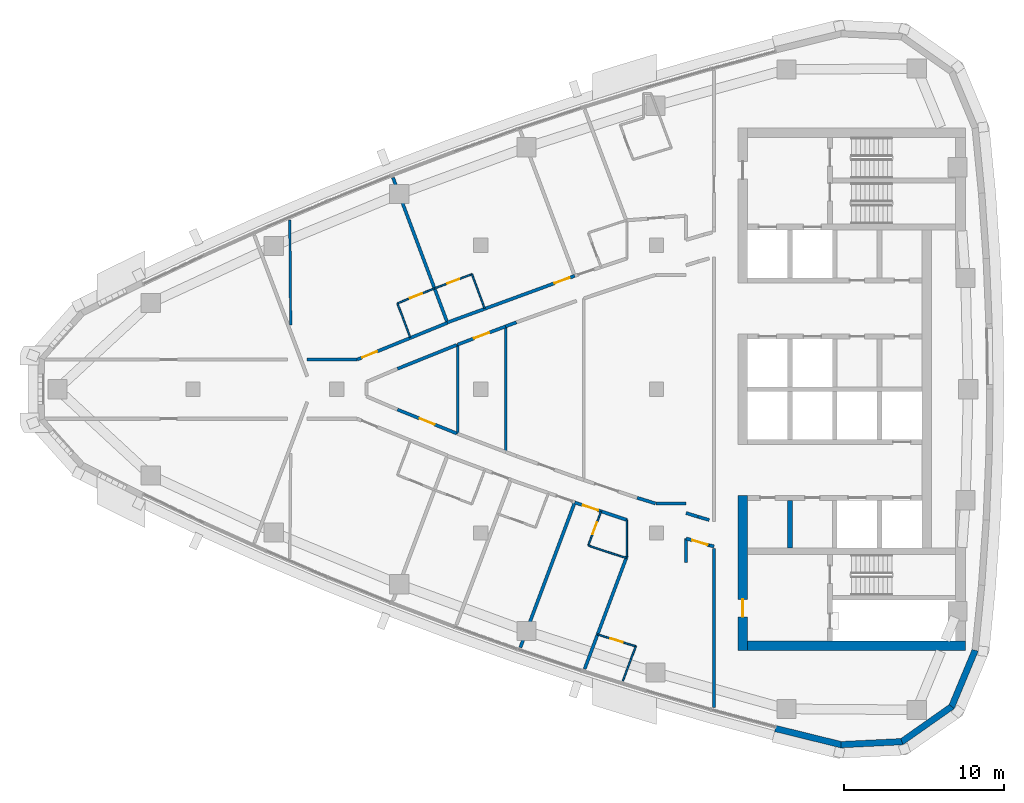
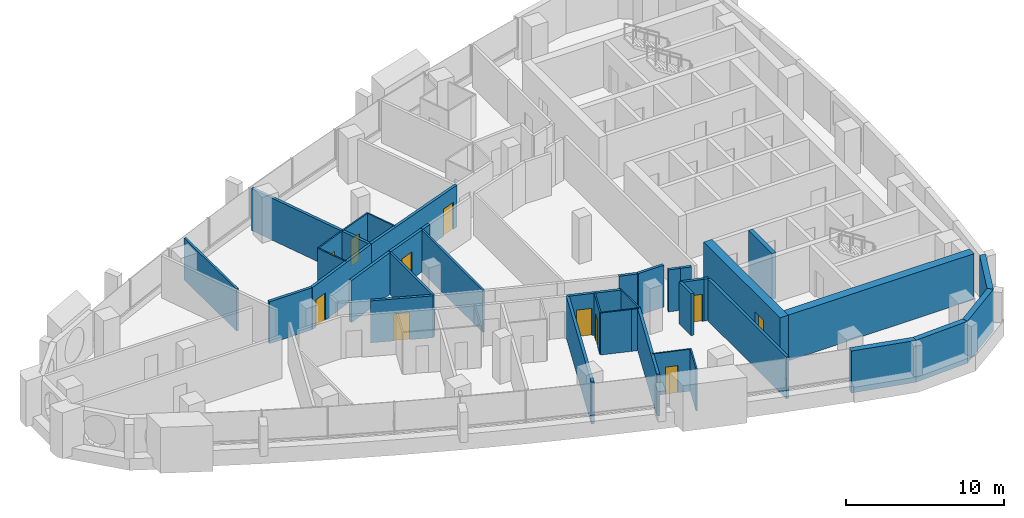
# One storey, part 9 of 16: 39 walls, 11 doors, 11 openings.
"""IFC4 building model written with IfcOpenShell, lengths in metres."""

from ifc_helpers import new_model, si_unit, direction, frame, frame_2d, origin, place, context, subcontext, project, spatial, polyline, rectangle, outline, extrude, material, layer, layer_set, type_object, element, fill, save


model = new_model("IFC4")

# Units and contexts
model_context = context("Model", 3, precision=1e-05, world=origin(), true_north=direction((0.0, 1.0)))
body_context = subcontext(model_context, "Body", "Model", "MODEL_VIEW")
ifc_project = project(units=[si_unit("LENGTHUNIT", "METRE"), si_unit("AREAUNIT", "SQUARE_METRE"), si_unit("VOLUMEUNIT", "CUBIC_METRE"), si_unit("PLANEANGLEUNIT", "RADIAN"), si_unit("MASSUNIT", "GRAM", prefix="KILO")], contexts=[model_context])

# Site, building, storey
site_placement = place(None, origin())
site = spatial("IfcSite", under=ifc_project, at=site_placement, CompositionType="ELEMENT")
building_placement = place(site_placement, origin())
building = spatial("IfcBuilding", under=site, at=building_placement, Name="Ostrand Prow Hotel Tower", CompositionType="ELEMENT")
storey_placement = place(building_placement, frame((0.0, 0.0, 224.35009765625)))
storey = spatial("IfcBuildingStorey", under=building, at=storey_placement, Name="L56", CompositionType="ELEMENT", Elevation=224.35009765625)

# Wall
ifc_material_1 = material(Name="Concrete C50/60", Category="concrete")
ifc_layer_1 = layer(ifc_material_1, 0.300048828125)
ifc_layer_set_1 = layer_set([ifc_layer_1], Name="Concrete C50/60")
wall_type_1 = type_object("IfcWallType", Name="Core wall 300 C50/60", PredefinedType="SHEAR", material=ifc_layer_set_1)
wall_1_placement = place(storey_placement, frame((53.35009765625, -9.949951171875, 0.0), z_axis=(0.0, 0.0, 1.0), x_axis=(0.0, 1.0, 0.0)))
element("IfcWall", 1, at=wall_1_placement, inside=storey, type_object=wall_type_1, Name="Core wall PW-R1-SA", PredefinedType="SHEAR", context=body_context, shape_type="SweptSolid", body=[
    extrude(rectangle(XDim=3.0, YDim=0.300048828125, at=frame_2d((1.5, 0.0))), origin(), (0.0, 0.0, 1.0), 3.5498046875),
])

# Wall, opening, door
ifc_material_2 = material(Name="Concrete C50/60", Category="concrete")
ifc_layer_2 = layer(ifc_material_2, 0.60009765625)
ifc_layer_set_2 = layer_set([ifc_layer_2], Name="Concrete C50/60")
wall_type_2 = type_object("IfcWallType", Name="Core wall 600 C50/60", PredefinedType="SHEAR", material=ifc_layer_set_2)
wall_2_placement = place(storey_placement, frame((50.39990234375, -16.35009765625, 0.0), z_axis=(0.0, 0.0, 1.0), x_axis=(0.0, 1.0, 0.0)))
wall_2 = element("IfcWall", 2, at=wall_2_placement, inside=storey, type_object=wall_type_2, Name="Core wall CW-W-S", PredefinedType="SHEAR", context=body_context, shape_type="SweptSolid", body=[
    extrude(rectangle(XDim=9.7001953125, YDim=0.60009765625, at=frame_2d((4.85009765625, 0.0))), origin(), (0.0, 0.0, 1.0), 3.5498046875),
])
opening_1_placement = place(wall_2_placement, frame((2.10009765625, 0.0, 0.0)))
opening_1 = element("IfcOpeningElement", 3, at=opening_1_placement, cuts=wall_2, Name="Opening FD1", PredefinedType="OPENING", context=body_context, shape_type="SweptSolid", body=[
    extrude(rectangle(XDim=1.10009765625, YDim=2.10009765625, at=frame_2d((0.550048828125, 1.050048828125))), frame((0.0, 0.31005859375, 0.0), z_axis=(0.0, -1.0, 0.0), x_axis=(1.0, 0.0, 0.0)), (0.0, 0.0, 1.0), 0.6201171875),
])
ifc_material_3 = material(Name="Steel fire door", Category="steel")
door_type_1 = type_object("IfcDoorType", Name="Fire door 1100 EI120", OperationType="SINGLE_SWING_RIGHT", PredefinedType="DOOR", material=ifc_material_3)
door_1_placement = place(opening_1_placement, origin())
door_1 = element("IfcDoor", 4, at=door_1_placement, inside=storey, type_object=door_type_1, Name="FIRE DOOR", OperationType="SINGLE_SWING_RIGHT", OverallHeight=2.10009765625, OverallWidth=1.10009765625, PredefinedType="DOOR", context=body_context, shape_type="SweptSolid", body=[
    extrude(rectangle(XDim=1.10009765625, YDim=2.10009765625, at=frame_2d((0.550048828125, 1.050048828125))), frame((0.0, 0.02490234375, 0.0), z_axis=(0.0, -1.0, 0.0), x_axis=(1.0, 0.0, 0.0)), (0.0, 0.0, 1.0), 0.050048828125),
])
fill(opening_1, door_1)

# Wall
wall_3_placement = place(storey_placement, frame((50.699951171875, -16.050048828125, 0.0), z_axis=(0.0, 0.0, 1.0), x_axis=(1.0, 0.0, 0.0)))
element("IfcWall", 5, at=wall_3_placement, inside=storey, type_object=wall_type_2, Name="Core wall CW-S", PredefinedType="SHEAR", context=body_context, shape_type="SweptSolid", body=[
    extrude(rectangle(XDim=13.6201171875, YDim=0.60009765625, at=frame_2d((6.81005859375, 0.0))), origin(), (0.0, 0.0, 1.0), 3.5498046875),
])

# Wall, opening, door
ifc_material_4 = material(Name="Plasterboard partition")
ifc_layer_3 = layer(ifc_material_4, 0.10009765625)
ifc_layer_set_3 = layer_set([ifc_layer_3], Name="Plasterboard partition")
wall_type_3 = type_object("IfcWallType", Name="Partition 100 bathroom wall", PredefinedType="PARTITIONING", material=ifc_layer_set_3)
wall_4_placement = place(storey_placement, frame((28.79296875, 5.37158203125, 0.0), z_axis=(0.0, 0.0, 1.0), x_axis=(0.92761232595, 0.373544338394, 0.0)))
wall_4 = element("IfcWall", 6, at=wall_4_placement, inside=storey, type_object=wall_type_3, Name="BATHROOM WALL", PredefinedType="PARTITIONING", context=body_context, shape_type="SweptSolid", body=[
    extrude(rectangle(XDim=2.50048828125, YDim=0.10009765625, at=frame_2d((1.250244140625, 0.0))), origin(), (0.0, 0.0, 1.0), 3.25),
])
opening_2_placement = place(wall_4_placement, frame((0.85009765625, 0.0, 0.0)))
opening_2 = element("IfcOpeningElement", 7, at=opening_2_placement, cuts=wall_4, Name="Opening D2", PredefinedType="OPENING", context=body_context, shape_type="SweptSolid", body=[
    extrude(rectangle(XDim=0.800048828125, YDim=2.10009765625, at=frame_2d((0.39990234375, 1.050048828125))), frame((0.0, 0.06005859375, 0.0), z_axis=(0.0, -1.0, 0.0), x_axis=(1.0, 0.0, 0.0)), (0.0, 0.0, 1.0), 0.1201171875),
])
ifc_material_5 = material(Name="Timber door leaf", Category="wood")
door_type_2 = type_object("IfcDoorType", Name="Bathroom door 800", OperationType="SINGLE_SWING_LEFT", PredefinedType="DOOR", material=ifc_material_5)
door_2_placement = place(opening_2_placement, origin())
door_2 = element("IfcDoor", 8, at=door_2_placement, inside=storey, type_object=door_type_2, Name="DOOR", OperationType="SINGLE_SWING_LEFT", OverallHeight=2.10009765625, OverallWidth=0.800048828125, PredefinedType="DOOR", context=body_context, shape_type="SweptSolid", body=[
    extrude(rectangle(XDim=0.800048828125, YDim=2.10009765625, at=frame_2d((0.39990234375, 1.050048828125))), frame((0.0, 0.02490234375, 0.0), z_axis=(0.0, -1.0, 0.0), x_axis=(1.0, 0.0, 0.0)), (0.0, 0.0, 1.0), 0.050048828125),
])
fill(opening_2, door_2)

# Wall
wall_5_placement = place(storey_placement, frame((29.592529296875, 3.23876953125, 0.0), z_axis=(0.0, 0.0, 1.0), x_axis=(-0.351158682313, 0.936315961541, 0.0)))
element("IfcWall", 9, at=wall_5_placement, inside=storey, type_object=wall_type_3, Name="BATHROOM WALL", PredefinedType="PARTITIONING", context=body_context, shape_type="SweptSolid", body=[
    extrude(rectangle(XDim=2.277587890625, YDim=0.10009765625, at=frame_2d((1.138671875, 0.0))), origin(), (0.0, 0.0, 1.0), 3.25),
])

# Wall, opening, door
wall_6_placement = place(storey_placement, frame((31.117431640625, 6.3076171875, 0.0), z_axis=(0.0, 0.0, 1.0), x_axis=(0.93495051617, 0.354778145202, 0.0)))
wall_6 = element("IfcWall", 10, at=wall_6_placement, inside=storey, type_object=wall_type_3, Name="BATHROOM WALL", PredefinedType="PARTITIONING", context=body_context, shape_type="SweptSolid", body=[
    extrude(rectangle(XDim=2.49462890625, YDim=0.10009765625, at=frame_2d((1.247314453125, 0.0))), origin(), (0.0, 0.0, 1.0), 3.25),
])
opening_3_placement = place(wall_6_placement, frame((0.85009765625, 0.0, 0.0)))
opening_3 = element("IfcOpeningElement", 11, at=opening_3_placement, cuts=wall_6, Name="Opening D2", PredefinedType="OPENING", context=body_context, shape_type="SweptSolid", body=[
    extrude(rectangle(XDim=0.800048828125, YDim=2.10009765625, at=frame_2d((0.39990234375, 1.050048828125))), frame((0.0, 0.06005859375, 0.0), z_axis=(0.0, -1.0, 0.0), x_axis=(1.0, 0.0, 0.0)), (0.0, 0.0, 1.0), 0.1201171875),
])
door_3_placement = place(opening_3_placement, origin())
door_3 = element("IfcDoor", 12, at=door_3_placement, inside=storey, type_object=door_type_2, Name="DOOR", OperationType="SINGLE_SWING_LEFT", OverallHeight=2.10009765625, OverallWidth=0.800048828125, PredefinedType="DOOR", context=body_context, shape_type="SweptSolid", body=[
    extrude(rectangle(XDim=0.800048828125, YDim=2.10009765625, at=frame_2d((0.39990234375, 1.050048828125))), frame((0.0, 0.02490234375, 0.0), z_axis=(0.0, -1.0, 0.0), x_axis=(1.0, 0.0, 0.0)), (0.0, 0.0, 1.0), 0.050048828125),
])
fill(opening_3, door_3)

# Wall
wall_7_placement = place(storey_placement, frame((33.449951171875, 7.192626953125, 0.0), z_axis=(0.0, 0.0, 1.0), x_axis=(0.351135191353, -0.936324771323, 0.0)))
element("IfcWall", 13, at=wall_7_placement, inside=storey, type_object=wall_type_3, Name="BATHROOM WALL", PredefinedType="PARTITIONING", context=body_context, shape_type="SweptSolid", body=[
    extrude(rectangle(XDim=2.277099609375, YDim=0.10009765625, at=frame_2d((1.138671875, 0.0))), origin(), (0.0, 0.0, 1.0), 3.25),
])

# Wall, opening, door
wall_8_placement = place(storey_placement, frame((40.731689453125, -9.778564453125, 0.0), z_axis=(0.0, 0.0, 1.0), x_axis=(0.351146927505, 0.936320370014, 0.0)))
wall_8 = element("IfcWall", 14, at=wall_8_placement, inside=storey, type_object=wall_type_3, Name="BATHROOM WALL", PredefinedType="PARTITIONING", context=body_context, shape_type="SweptSolid", body=[
    extrude(rectangle(XDim=2.2783203125, YDim=0.10009765625, at=frame_2d((1.13916015625, 0.0))), origin(), (0.0, 0.0, 1.0), 3.25),
])
opening_4_placement = place(wall_8_placement, frame((0.75, 0.0, 0.0)))
opening_4 = element("IfcOpeningElement", 15, at=opening_4_placement, cuts=wall_8, Name="Opening D2", PredefinedType="OPENING", context=body_context, shape_type="SweptSolid", body=[
    extrude(rectangle(XDim=0.800048828125, YDim=2.10009765625, at=frame_2d((0.39990234375, 1.050048828125))), frame((0.0, 0.06005859375, 0.0), z_axis=(0.0, -1.0, 0.0), x_axis=(1.0, 0.0, 0.0)), (0.0, 0.0, 1.0), 0.1201171875),
])
door_4_placement = place(opening_4_placement, origin())
door_4 = element("IfcDoor", 16, at=door_4_placement, inside=storey, type_object=door_type_2, Name="DOOR", OperationType="SINGLE_SWING_LEFT", OverallHeight=2.10009765625, OverallWidth=0.800048828125, PredefinedType="DOOR", context=body_context, shape_type="SweptSolid", body=[
    extrude(rectangle(XDim=0.800048828125, YDim=2.10009765625, at=frame_2d((0.39990234375, 1.050048828125))), frame((0.0, 0.02490234375, 0.0), z_axis=(0.0, -1.0, 0.0), x_axis=(1.0, 0.0, 0.0)), (0.0, 0.0, 1.0), 0.050048828125),
])
fill(opening_4, door_4)

# Walls
wall_9_placement = place(storey_placement, frame((43.108154296875, -10.5615234375, 0.0), z_axis=(0.0, 0.0, 1.0), x_axis=(-0.954624465478, 0.297812239356, 0.0)))
element("IfcWall", 17, at=wall_9_placement, inside=storey, type_object=wall_type_3, Name="BATHROOM WALL", PredefinedType="PARTITIONING", context=body_context, shape_type="SweptSolid", body=[
    extrude(rectangle(XDim=0.5107421875, YDim=0.10009765625, at=frame_2d((0.25537109375, 0.0))), origin(), (0.0, 0.0, 1.0), 3.25),
])
wall_10_placement = place(storey_placement, frame((42.62060546875, -10.409423828125, 0.0), z_axis=(0.0, 0.0, 1.0), x_axis=(-0.948499248693, 0.316779379426, 0.0)))
element("IfcWall", 18, at=wall_10_placement, inside=storey, type_object=wall_type_3, Name="BATHROOM WALL", PredefinedType="PARTITIONING", context=body_context, shape_type="SweptSolid", body=[
    extrude(rectangle(XDim=1.991455078125, YDim=0.10009765625, at=frame_2d((0.99560546875, 0.0))), origin(), (0.0, 0.0, 1.0), 3.25),
])
wall_11_placement = place(storey_placement, frame((43.705078125, -16.08984375, 0.0), z_axis=(0.0, 0.0, 1.0), x_axis=(-0.351111827312, -0.936333532841, 0.0)))
element("IfcWall", 19, at=wall_11_placement, inside=storey, type_object=wall_type_3, Name="BATHROOM WALL", PredefinedType="PARTITIONING", context=body_context, shape_type="SweptSolid", body=[
    extrude(rectangle(XDim=2.3037109375, YDim=0.10009765625, at=frame_2d((1.15185546875, 0.0))), origin(), (0.0, 0.0, 1.0), 3.25),
])

# Wall, opening, door
wall_12_placement = place(storey_placement, frame((41.314697265625, -15.344482421875, 0.0), z_axis=(0.0, 0.0, 1.0), x_axis=(0.954665433195, -0.297680887299, 0.0)))
wall_12 = element("IfcWall", 20, at=wall_12_placement, inside=storey, type_object=wall_type_3, Name="BATHROOM WALL", PredefinedType="PARTITIONING", context=body_context, shape_type="SweptSolid", body=[
    extrude(rectangle(XDim=2.50390625, YDim=0.10009765625, at=frame_2d((1.251953125, 0.0))), origin(), (0.0, 0.0, 1.0), 3.25),
])
opening_5_placement = place(wall_12_placement, frame((0.85009765625, 0.0, 0.0)))
opening_5 = element("IfcOpeningElement", 21, at=opening_5_placement, cuts=wall_12, Name="Opening D2", PredefinedType="OPENING", context=body_context, shape_type="SweptSolid", body=[
    extrude(rectangle(XDim=0.800048828125, YDim=2.10009765625, at=frame_2d((0.39990234375, 1.050048828125))), frame((0.0, 0.06005859375, 0.0), z_axis=(0.0, -1.0, 0.0), x_axis=(1.0, 0.0, 0.0)), (0.0, 0.0, 1.0), 0.1201171875),
])
door_5_placement = place(opening_5_placement, origin())
door_5 = element("IfcDoor", 22, at=door_5_placement, inside=storey, type_object=door_type_2, Name="DOOR", OperationType="SINGLE_SWING_LEFT", OverallHeight=2.10009765625, OverallWidth=0.800048828125, PredefinedType="DOOR", context=body_context, shape_type="SweptSolid", body=[
    extrude(rectangle(XDim=0.800048828125, YDim=2.10009765625, at=frame_2d((0.39990234375, 1.050048828125))), frame((0.0, 0.02490234375, 0.0), z_axis=(0.0, -1.0, 0.0), x_axis=(1.0, 0.0, 0.0)), (0.0, 0.0, 1.0), 0.050048828125),
])
fill(opening_5, door_5)

# Walls
wall_13_placement = place(storey_placement, frame((43.14501953125, -8.1650390625, 0.0), z_axis=(0.0, 0.0, 1.0), x_axis=(0.0, -1.0, 0.0)))
element("IfcWall", 23, at=wall_13_placement, inside=storey, type_object=wall_type_3, Name="BATHROOM WALL", PredefinedType="PARTITIONING", context=body_context, shape_type="SweptSolid", body=[
    extrude(rectangle(XDim=2.29833984375, YDim=0.10009765625, at=frame_2d((1.149169921875, 0.0))), origin(), (0.0, 0.0, 1.0), 3.25),
])
ifc_material_6 = material(Name="Plasterboard partition")
ifc_layer_4 = layer(ifc_material_6, 0.14990234375)
ifc_layer_set_4 = layer_set([ifc_layer_4], Name="Plasterboard partition")
wall_type_4 = type_object("IfcWallType", Name="Partition 150 room partition", PredefinedType="PARTITIONING", material=ifc_layer_set_4)
wall_14_placement = place(storey_placement, frame((32.556396484375, -2.789306640625, 0.0), z_axis=(0.0, 0.0, 1.0), x_axis=(0.0, 1.0, 0.0)))
element("IfcWall", 24, at=wall_14_placement, inside=storey, type_object=wall_type_4, Name="ROOM PARTITION", PredefinedType="PARTITIONING", context=body_context, shape_type="SweptSolid", body=[
    extrude(rectangle(XDim=5.57861328125, YDim=0.14990234375, at=frame_2d((2.789306640625, 0.0))), origin(), (0.0, 0.0, 1.0), 3.25),
])
wall_15_placement = place(storey_placement, frame((35.556396484375, -3.927490234375, 0.0), z_axis=(0.0, 0.0, 1.0), x_axis=(0.0, 1.0, 0.0)))
element("IfcWall", 25, at=wall_15_placement, inside=storey, type_object=wall_type_4, Name="ROOM PARTITION", PredefinedType="PARTITIONING", context=body_context, shape_type="SweptSolid", body=[
    extrude(rectangle(XDim=7.85498046875, YDim=0.14990234375, at=frame_2d((3.927490234375, 0.0))), origin(), (0.0, 0.0, 1.0), 3.25),
])
wall_16_placement = place(storey_placement, frame((22.057373046875, 10.577880859375, 0.0), z_axis=(0.0, 0.0, 1.0), x_axis=(0.008379594055, -0.999964890585, 0.0)))
element("IfcWall", 26, at=wall_16_placement, inside=storey, type_object=wall_type_4, Name="ROOM PARTITION", PredefinedType="PARTITIONING", context=body_context, shape_type="SweptSolid", body=[
    extrude(rectangle(XDim=6.555419921875, YDim=0.14990234375, at=frame_2d((3.27783203125, 0.0))), origin(), (0.0, 0.0, 1.0), 3.25),
])

# Wall, opening, door
ifc_material_7 = material(Name="Plasterboard partition")
ifc_layer_5 = layer(ifc_material_7, 0.199951171875)
ifc_layer_set_5 = layer_set([ifc_layer_5], Name="Plasterboard partition")
wall_type_5 = type_object("IfcWallType", Name="Partition 200 corridor wall", PredefinedType="PARTITIONING", material=ifc_layer_set_5)
wall_17_placement = place(storey_placement, frame((26.265869140625, 1.85009765625, 0.0), z_axis=(0.0, 0.0, 1.0), x_axis=(0.926231512449, 0.376955150311, 0.0)))
wall_17 = element("IfcWall", 27, at=wall_17_placement, inside=storey, type_object=wall_type_5, Name="CORRIDOR WALL", PredefinedType="PARTITIONING", context=body_context, shape_type="SweptSolid", body=[
    extrude(rectangle(XDim=6.10498046875, YDim=0.199951171875, at=frame_2d((3.052490234375, 0.0))), origin(), (0.0, 0.0, 1.0), 3.25),
])
opening_6_placement = place(wall_17_placement, frame((0.35009765625, 0.0, 0.0)))
opening_6 = element("IfcOpeningElement", 28, at=opening_6_placement, cuts=wall_17, Name="Opening D1R", PredefinedType="OPENING", context=body_context, shape_type="SweptSolid", body=[
    extrude(rectangle(XDim=1.0, YDim=2.10009765625, at=frame_2d((0.5, 1.050048828125))), frame((0.0, 0.10986328125, 0.0), z_axis=(0.0, -1.0, 0.0), x_axis=(1.0, 0.0, 0.0)), (0.0, 0.0, 1.0), 0.219970703125),
])
ifc_material_8 = material(Name="Timber door leaf", Category="wood")
door_type_3 = type_object("IfcDoorType", Name="Guest room door 1000 right", OperationType="SINGLE_SWING_RIGHT", PredefinedType="DOOR", material=ifc_material_8)
door_6_placement = place(opening_6_placement, origin())
door_6 = element("IfcDoor", 29, at=door_6_placement, inside=storey, type_object=door_type_3, Name="DOOR", OperationType="SINGLE_SWING_RIGHT", OverallHeight=2.10009765625, OverallWidth=1.0, PredefinedType="DOOR", context=body_context, shape_type="SweptSolid", body=[
    extrude(rectangle(XDim=1.0, YDim=2.10009765625, at=frame_2d((0.5, 1.050048828125))), frame((0.0, 0.02490234375, 0.0), z_axis=(0.0, -1.0, 0.0), x_axis=(1.0, 0.0, 0.0)), (0.0, 0.0, 1.0), 0.050048828125),
])
fill(opening_6, door_6)

wall_18_placement = place(storey_placement, frame((39.88232421875, 7.091064453125, 0.0), z_axis=(0.0, 0.0, 1.0), x_axis=(-0.938916907106, -0.344143925634, 0.0)))
wall_18 = element("IfcWall", 30, at=wall_18_placement, inside=storey, type_object=wall_type_5, Name="CORRIDOR WALL", PredefinedType="PARTITIONING", context=body_context, shape_type="SweptSolid", body=[
    extrude(rectangle(XDim=8.487548828125, YDim=0.199951171875, at=frame_2d((4.24365234375, 0.0))), origin(), (0.0, 0.0, 1.0), 3.25),
])
opening_7_placement = place(wall_18_placement, frame((0.35009765625, 0.0, 0.0)))
opening_7 = element("IfcOpeningElement", 31, at=opening_7_placement, cuts=wall_18, Name="Opening D1R", PredefinedType="OPENING", context=body_context, shape_type="SweptSolid", body=[
    extrude(rectangle(XDim=1.0, YDim=2.10009765625, at=frame_2d((0.5, 1.050048828125))), frame((0.0, 0.10986328125, 0.0), z_axis=(0.0, -1.0, 0.0), x_axis=(1.0, 0.0, 0.0)), (0.0, 0.0, 1.0), 0.219970703125),
])
door_7_placement = place(opening_7_placement, origin())
door_7 = element("IfcDoor", 32, at=door_7_placement, inside=storey, type_object=door_type_3, Name="DOOR", OperationType="SINGLE_SWING_RIGHT", OverallHeight=2.10009765625, OverallWidth=1.0, PredefinedType="DOOR", context=body_context, shape_type="SweptSolid", body=[
    extrude(rectangle(XDim=1.0, YDim=2.10009765625, at=frame_2d((0.5, 1.050048828125))), frame((0.0, 0.02490234375, 0.0), z_axis=(0.0, -1.0, 0.0), x_axis=(1.0, 0.0, 0.0)), (0.0, 0.0, 1.0), 0.050048828125),
])
fill(opening_7, door_7)

wall_19_placement = place(storey_placement, frame((39.88232421875, -7.091064453125, 0.0), z_axis=(0.0, 0.0, 1.0), x_axis=(0.948477584784, -0.316844238013, 0.0)))
wall_19 = element("IfcWall", 33, at=wall_19_placement, inside=storey, type_object=wall_type_5, Name="CORRIDOR WALL", PredefinedType="PARTITIONING", context=body_context, shape_type="SweptSolid", body=[
    extrude(rectangle(XDim=3.445068359375, YDim=0.199951171875, at=frame_2d((1.72265625, 0.0))), origin(), (0.0, 0.0, 1.0), 3.25),
])
opening_8_placement = place(wall_19_placement, frame((0.550048828125, 0.0, 0.0)))
opening_8 = element("IfcOpeningElement", 34, at=opening_8_placement, cuts=wall_19, Name="Opening D1", PredefinedType="OPENING", context=body_context, shape_type="SweptSolid", body=[
    extrude(rectangle(XDim=1.0, YDim=2.10009765625, at=frame_2d((0.5, 1.050048828125))), frame((0.0, 0.10986328125, 0.0), z_axis=(0.0, -1.0, 0.0), x_axis=(1.0, 0.0, 0.0)), (0.0, 0.0, 1.0), 0.219970703125),
])
ifc_material_9 = material(Name="Timber door leaf", Category="wood")
door_type_4 = type_object("IfcDoorType", Name="Guest room door 1000", OperationType="SINGLE_SWING_LEFT", PredefinedType="DOOR", material=ifc_material_9)
door_8_placement = place(opening_8_placement, origin())
door_8 = element("IfcDoor", 35, at=door_8_placement, inside=storey, type_object=door_type_4, Name="DOOR", OperationType="SINGLE_SWING_LEFT", OverallHeight=2.10009765625, OverallWidth=1.0, PredefinedType="DOOR", context=body_context, shape_type="SweptSolid", body=[
    extrude(rectangle(XDim=1.0, YDim=2.10009765625, at=frame_2d((0.5, 1.050048828125))), frame((0.0, 0.02490234375, 0.0), z_axis=(0.0, -1.0, 0.0), x_axis=(1.0, 0.0, 0.0)), (0.0, 0.0, 1.0), 0.050048828125),
])
fill(opening_8, door_8)

wall_20_placement = place(storey_placement, frame((32.50146484375, -2.768310546875, 0.0), z_axis=(0.0, 0.0, 1.0), x_axis=(-0.927622894464, 0.373518092823, 0.0)))
wall_20 = element("IfcWall", 36, at=wall_20_placement, inside=storey, type_object=wall_type_5, Name="CORRIDOR WALL", PredefinedType="PARTITIONING", context=body_context, shape_type="SweptSolid", body=[
    extrude(rectangle(XDim=3.994873046875, YDim=0.199951171875, at=frame_2d((1.99755859375, 0.0))), origin(), (0.0, 0.0, 1.0), 3.25),
])
opening_9_placement = place(wall_20_placement, frame((1.49755859375, 0.0, 0.0)))
opening_9 = element("IfcOpeningElement", 37, at=opening_9_placement, cuts=wall_20, Name="Opening D1R", PredefinedType="OPENING", context=body_context, shape_type="SweptSolid", body=[
    extrude(rectangle(XDim=1.0, YDim=2.10009765625, at=frame_2d((0.5, 1.050048828125))), frame((0.0, 0.10986328125, 0.0), z_axis=(0.0, -1.0, 0.0), x_axis=(1.0, 0.0, 0.0)), (0.0, 0.0, 1.0), 0.219970703125),
])
door_9_placement = place(opening_9_placement, origin())
door_9 = element("IfcDoor", 38, at=door_9_placement, inside=storey, type_object=door_type_3, Name="DOOR", OperationType="SINGLE_SWING_RIGHT", OverallHeight=2.10009765625, OverallWidth=1.0, PredefinedType="DOOR", context=body_context, shape_type="SweptSolid", body=[
    extrude(rectangle(XDim=1.0, YDim=2.10009765625, at=frame_2d((0.5, 1.050048828125))), frame((0.0, 0.02490234375, 0.0), z_axis=(0.0, -1.0, 0.0), x_axis=(1.0, 0.0, 0.0)), (0.0, 0.0, 1.0), 0.050048828125),
])
fill(opening_9, door_9)

# Wall
wall_21_placement = place(storey_placement, frame((28.795654296875, 1.276123046875, 0.0), z_axis=(0.0, 0.0, 1.0), x_axis=(0.927622894464, 0.373518092823, 0.0)))
element("IfcWall", 39, at=wall_21_placement, inside=storey, type_object=wall_type_5, Name="CORRIDOR WALL", PredefinedType="PARTITIONING", context=body_context, shape_type="SweptSolid", body=[
    extrude(rectangle(XDim=3.994873046875, YDim=0.199951171875, at=frame_2d((1.99755859375, 0.0))), origin(), (0.0, 0.0, 1.0), 3.25),
])

# Wall, opening, door
wall_22_placement = place(storey_placement, frame((32.556396484375, 2.789306640625, 0.0), z_axis=(0.0, 0.0, 1.0), x_axis=(0.934971422854, 0.354723044706, 0.0)))
wall_22 = element("IfcWall", 40, at=wall_22_placement, inside=storey, type_object=wall_type_5, Name="CORRIDOR WALL", PredefinedType="PARTITIONING", context=body_context, shape_type="SweptSolid", body=[
    extrude(rectangle(XDim=3.208740234375, YDim=0.199951171875, at=frame_2d((1.6044921875, 0.0))), origin(), (0.0, 0.0, 1.0), 3.25),
])
opening_10_placement = place(wall_22_placement, frame((1.1044921875, 0.0, 0.0)))
opening_10 = element("IfcOpeningElement", 41, at=opening_10_placement, cuts=wall_22, Name="Opening D1", PredefinedType="OPENING", context=body_context, shape_type="SweptSolid", body=[
    extrude(rectangle(XDim=1.0, YDim=2.10009765625, at=frame_2d((0.5, 1.050048828125))), frame((0.0, 0.10986328125, 0.0), z_axis=(0.0, -1.0, 0.0), x_axis=(1.0, 0.0, 0.0)), (0.0, 0.0, 1.0), 0.219970703125),
])
door_10_placement = place(opening_10_placement, origin())
door_10 = element("IfcDoor", 42, at=door_10_placement, inside=storey, type_object=door_type_4, Name="DOOR", OperationType="SINGLE_SWING_LEFT", OverallHeight=2.10009765625, OverallWidth=1.0, PredefinedType="DOOR", context=body_context, shape_type="SweptSolid", body=[
    extrude(rectangle(XDim=1.0, YDim=2.10009765625, at=frame_2d((0.5, 1.050048828125))), frame((0.0, 0.02490234375, 0.0), z_axis=(0.0, -1.0, 0.0), x_axis=(1.0, 0.0, 0.0)), (0.0, 0.0, 1.0), 0.050048828125),
])
fill(opening_10, door_10)

# Walls
wall_23_placement = place(storey_placement, frame((35.556396484375, 3.927490234375, 0.0), z_axis=(0.0, 0.0, 1.0), x_axis=(0.934928414106, 0.354836385533, 0.0)))
element("IfcWall", 43, at=wall_23_placement, inside=storey, type_object=wall_type_5, Name="CORRIDOR WALL", PredefinedType="PARTITIONING", context=body_context, shape_type="SweptSolid", body=[
    extrude(rectangle(XDim=0.727294921875, YDim=0.199951171875, at=frame_2d((0.36376953125, 0.0))), origin(), (0.0, 0.0, 1.0), 3.25),
])
wall_24_placement = place(storey_placement, frame((47.60205078125, -7.982421875, 0.0), z_axis=(0.0, 0.0, 1.0), x_axis=(-0.95461224237, 0.297851417181, 0.0)))
element("IfcWall", 44, at=wall_24_placement, inside=storey, type_object=wall_type_5, Name="CORRIDOR WALL", PredefinedType="PARTITIONING", context=body_context, shape_type="SweptSolid", body=[
    extrude(rectangle(XDim=0.78759765625, YDim=0.199951171875, at=frame_2d((0.393798828125, 0.0))), origin(), (0.0, 0.0, 1.0), 3.25),
])
wall_25_placement = place(storey_placement, frame((44.9326171875, -7.14990234375, 0.0), z_axis=(0.0, 0.0, 1.0), x_axis=(-0.954693570678, 0.29759063511, 0.0)))
element("IfcWall", 45, at=wall_25_placement, inside=storey, type_object=wall_type_5, Name="CORRIDOR WALL", PredefinedType="PARTITIONING", context=body_context, shape_type="SweptSolid", body=[
    extrude(rectangle(XDim=1.198486328125, YDim=0.199951171875, at=frame_2d((0.59912109375, 0.0))), origin(), (0.0, 0.0, 1.0), 3.25),
])

# Wall, opening, door
wall_26_placement = place(storey_placement, frame((46.85009765625, -9.340087890625, 0.0), z_axis=(0.0, 0.0, 1.0), x_axis=(0.95944263903, -0.281903924079, 0.0)))
wall_26 = element("IfcWall", 46, at=wall_26_placement, inside=storey, type_object=wall_type_5, Name="CORRIDOR WALL", PredefinedType="PARTITIONING", context=body_context, shape_type="SweptSolid", body=[
    extrude(rectangle(XDim=1.51123046875, YDim=0.199951171875, at=frame_2d((0.755615234375, 0.0))), origin(), (0.0, 0.0, 1.0), 3.25),
])
opening_11_placement = place(wall_26_placement, frame((0.39990234375, 0.0, 0.0)))
opening_11 = element("IfcOpeningElement", 47, at=opening_11_placement, cuts=wall_26, Name="Opening D1", PredefinedType="OPENING", context=body_context, shape_type="SweptSolid", body=[
    extrude(rectangle(XDim=1.0, YDim=2.10009765625, at=frame_2d((0.5, 1.050048828125))), frame((0.0, 0.10986328125, 0.0), z_axis=(0.0, -1.0, 0.0), x_axis=(1.0, 0.0, 0.0)), (0.0, 0.0, 1.0), 0.219970703125),
])
door_11_placement = place(opening_11_placement, origin())
door_11 = element("IfcDoor", 48, at=door_11_placement, inside=storey, type_object=door_type_4, Name="DOOR", OperationType="SINGLE_SWING_LEFT", OverallHeight=2.10009765625, OverallWidth=1.0, PredefinedType="DOOR", context=body_context, shape_type="SweptSolid", body=[
    extrude(rectangle(XDim=1.0, YDim=2.10009765625, at=frame_2d((0.5, 1.050048828125))), frame((0.0, 0.02490234375, 0.0), z_axis=(0.0, -1.0, 0.0), x_axis=(1.0, 0.0, 0.0)), (0.0, 0.0, 1.0), 0.050048828125),
])
fill(opening_11, door_11)

# Walls
wall_27_placement = place(storey_placement, frame((48.300048828125, -8.184814453125, 0.0), z_axis=(0.0, 0.0, 1.0), x_axis=(-0.960439023181, 0.278490363839, 0.0)))
element("IfcWall", 49, at=wall_27_placement, inside=storey, type_object=wall_type_5, Name="CORRIDOR WALL", PredefinedType="PARTITIONING", context=body_context, shape_type="SweptSolid", body=[
    extrude(rectangle(XDim=0.726806640625, YDim=0.199951171875, at=frame_2d((0.36328125, 0.0))), origin(), (0.0, 0.0, 1.0), 3.25),
])
wall_28_placement = place(storey_placement, frame((46.8515625, -7.145263671875, 0.0), z_axis=(0.0, 0.0, 1.0), x_axis=(-0.99999999156, 0.000129920747, 0.0)))
element("IfcWall", 50, at=wall_28_placement, inside=storey, type_object=wall_type_5, Name="CORRIDOR WALL", PredefinedType="PARTITIONING", context=body_context, shape_type="SweptSolid", body=[
    extrude(rectangle(XDim=1.879150390625, YDim=0.199951171875, at=frame_2d((0.939453125, 0.0))), origin(), (0.0, 0.0, 1.0), 3.25),
])
wall_29_placement = place(storey_placement, frame((26.265869140625, 1.85009765625, 0.0), z_axis=(0.0, 0.0, 1.0), x_axis=(-0.999999006581, 0.001409552241, 0.0)))
element("IfcWall", 51, at=wall_29_placement, inside=storey, type_object=wall_type_5, Name="CORRIDOR WALL", PredefinedType="PARTITIONING", context=body_context, shape_type="SweptSolid", body=[
    extrude(rectangle(XDim=3.11767578125, YDim=0.199951171875, at=frame_2d((1.558837890625, 0.0))), origin(), (0.0, 0.0, 1.0), 3.25),
])
wall_30_placement = place(storey_placement, frame((46.8505859375, -10.85498046875, 0.0), z_axis=(0.0, 0.0, 1.0), x_axis=(-0.000322320692, 0.999999948055, 0.0)))
element("IfcWall", 52, at=wall_30_placement, inside=storey, type_object=wall_type_5, Name="CORRIDOR WALL", PredefinedType="PARTITIONING", context=body_context, shape_type="SweptSolid", body=[
    extrude(rectangle(XDim=1.514892578125, YDim=0.199951171875, at=frame_2d((0.75732421875, 0.0))), origin(), (0.0, 0.0, 1.0), 3.25),
])
wall_31_placement = place(storey_placement, frame((48.300048828125, -9.76611328125, 0.0), z_axis=(0.0, 0.0, 1.0), x_axis=(0.972415906571, -0.233253734477, 0.0)))
element("IfcWall", 53, at=wall_31_placement, inside=storey, type_object=wall_type_5, Name="CORRIDOR WALL", PredefinedType="PARTITIONING", context=body_context, shape_type="SweptSolid", body=[
    extrude(rectangle(XDim=0.309814453125, YDim=0.199951171875, at=frame_2d((0.15478515625, 0.0))), origin(), (0.0, 0.0, 1.0), 3.25),
])
wall_32_placement = place(storey_placement, frame((48.594970703125, -9.95703125, 0.0), z_axis=(0.0, 0.0, 1.0), x_axis=(0.0, -1.0, 0.0)))
element("IfcWall", 54, at=wall_32_placement, inside=storey, type_object=wall_type_5, Name="CORRIDOR WALL", PredefinedType="PARTITIONING", context=body_context, shape_type="SweptSolid", body=[
    extrude(rectangle(XDim=9.972412109375, YDim=0.199951171875, at=frame_2d((4.986328125, 0.0))), origin(), (0.0, 0.0, 1.0), 3.25),
])
ifc_material_10 = material(Name="Plasterboard partition")
ifc_layer_6 = layer(ifc_material_10, 0.199951171875)
ifc_layer_set_6 = layer_set([ifc_layer_6], Name="Plasterboard partition")
wall_type_6 = type_object("IfcWallType", Name="Partition 200 key partition", PredefinedType="PARTITIONING", material=ifc_layer_set_6)
wall_33_placement = place(storey_placement, frame((31.92041015625, 4.1513671875, 0.0), z_axis=(0.0, 0.0, 1.0), x_axis=(-0.351126199585, 0.936328143316, 0.0)))
element("IfcWall", 55, at=wall_33_placement, inside=storey, type_object=wall_type_6, Name="KEY PARTITION", PredefinedType="PARTITIONING", context=body_context, shape_type="SweptSolid", body=[
    extrude(rectangle(XDim=9.700927734375, YDim=0.199951171875, at=frame_2d((4.8505859375, 0.0))), origin(), (0.0, 0.0, 1.0), 3.25),
])
wall_34_placement = place(storey_placement, frame((36.481201171875, -16.16064453125, 0.0), z_axis=(0.0, 0.0, 1.0), x_axis=(0.35112895446, 0.936327110224, 0.0)))
element("IfcWall", 56, at=wall_34_placement, inside=storey, type_object=wall_type_6, Name="KEY PARTITION", PredefinedType="PARTITIONING", context=body_context, shape_type="SweptSolid", body=[
    extrude(rectangle(XDim=9.706298828125, YDim=0.199951171875, at=frame_2d((4.85302734375, 0.0))), origin(), (0.0, 0.0, 1.0), 3.25),
])
wall_35_placement = place(storey_placement, frame((40.505615234375, -17.50146484375, 0.0), z_axis=(0.0, 0.0, 1.0), x_axis=(0.351119888923, 0.936330509811, 0.0)))
element("IfcWall", 57, at=wall_35_placement, inside=storey, type_object=wall_type_6, Name="KEY PARTITION", PredefinedType="PARTITIONING", context=body_context, shape_type="SweptSolid", body=[
    extrude(rectangle(XDim=7.531005859375, YDim=0.199951171875, at=frame_2d((3.765625, 0.0))), origin(), (0.0, 0.0, 1.0), 3.25),
])
ifc_material_11 = material(Name="Precast concrete C40/50", Category="concrete")
ifc_layer_7 = layer(ifc_material_11, 0.39990234375)
ifc_layer_set_7 = layer_set([ifc_layer_7], Name="Precast concrete C40/50")
wall_type_7 = type_object("IfcWallType", Name="Stone-faced precast wall 400 mm", PredefinedType="NOTDEFINED", material=ifc_layer_set_7)
wall_36_placement = place(storey_placement, frame((52.440673828125, -21.229736328125, 0.0), z_axis=(0.0, 0.0, 1.0), x_axis=(0.970902342456, -0.23947576373, 0.0)))
element("IfcWall", 58, at=wall_36_placement, inside=storey, type_object=wall_type_7, Name="Stone-faced wall back 1", PredefinedType="NOTDEFINED", context=body_context, shape_type="SweptSolid", body=[
    extrude(outline(polyline([(0.0, -0.199951171875), (4.255126953125, -0.199951171875), (4.196533203125, 0.199951171875), (0.0, 0.199951171875), (0.0, -0.199951171875)])), origin(), (0.0, 0.0, 1.0), 3.25),
])
wall_37_placement = place(storey_placement, frame((56.54345703125, -22.24169921875, 0.0), z_axis=(0.0, 0.0, 1.0), x_axis=(0.998758875872, 0.049806705046, 0.0)))
element("IfcWall", 59, at=wall_37_placement, inside=storey, type_object=wall_type_7, Name="Stone-faced wall back 2", PredefinedType="NOTDEFINED", context=body_context, shape_type="SweptSolid", body=[
    extrude(outline(polyline([(-0.029296875, -0.199951171875), (3.871337890625, -0.199951171875), (3.755615234375, 0.199951171875), (0.029296875, 0.199951171875), (-0.029296875, -0.199951171875)])), origin(), (0.0, 0.0, 1.0), 3.25),
])
wall_38_placement = place(storey_placement, frame((60.352294921875, -22.0517578125, 0.0), z_axis=(0.0, 0.0, 1.0), x_axis=(0.817942545532, 0.575299915009, 0.0)))
element("IfcWall", 60, at=wall_38_placement, inside=storey, type_object=wall_type_7, Name="Stone-faced wall back 3", PredefinedType="NOTDEFINED", context=body_context, shape_type="SweptSolid", body=[
    extrude(outline(polyline([(-0.057861328125, -0.199951171875), (3.871337890625, -0.199951171875), (3.755615234375, 0.199951171875), (0.057861328125, 0.199951171875), (-0.057861328125, -0.199951171875)])), origin(), (0.0, 0.0, 1.0), 3.25),
])
wall_39_placement = place(storey_placement, frame((63.471435546875, -19.85791015625, 0.0), z_axis=(0.0, 0.0, 1.0), x_axis=(0.3844335483, 0.923152667191, 0.0)))
element("IfcWall", 61, at=wall_39_placement, inside=storey, type_object=wall_type_7, Name="Stone-faced wall back 4", PredefinedType="NOTDEFINED", context=body_context, shape_type="SweptSolid", body=[
    extrude(outline(polyline([(-0.057861328125, -0.199951171875), (3.84326171875, -0.199951171875), (3.78369140625, 0.199951171875), (0.057861328125, 0.199951171875), (-0.057861328125, -0.199951171875)])), origin(), (0.0, 0.0, 1.0), 3.25),
])

save(model, "model.ifc")
